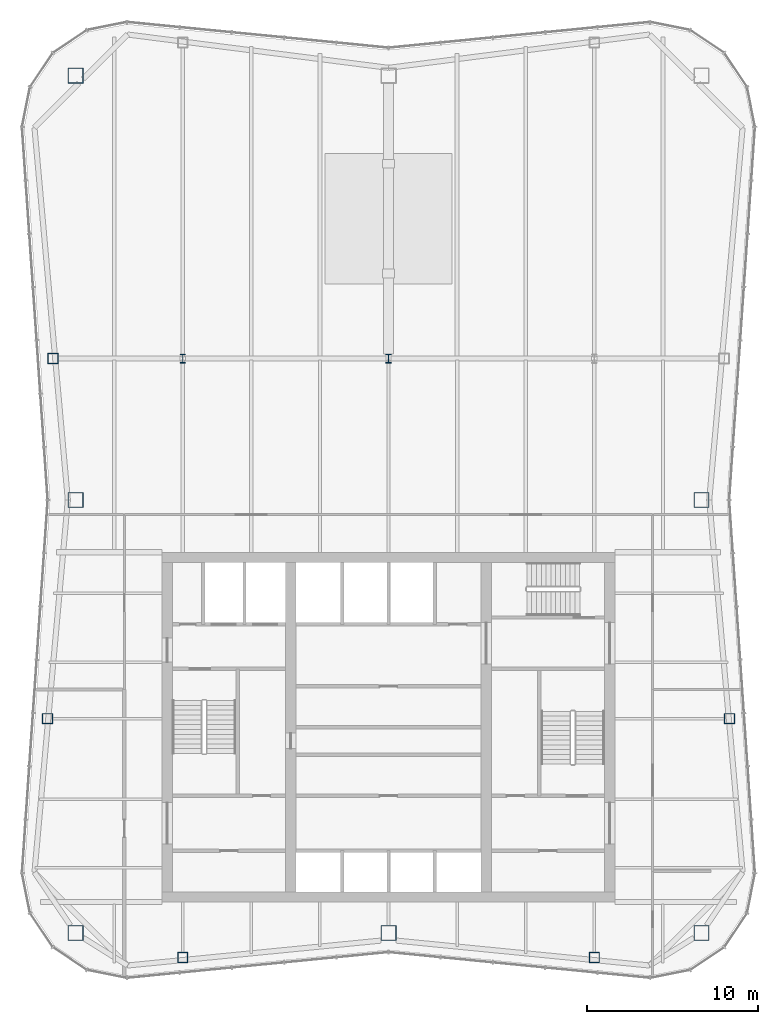
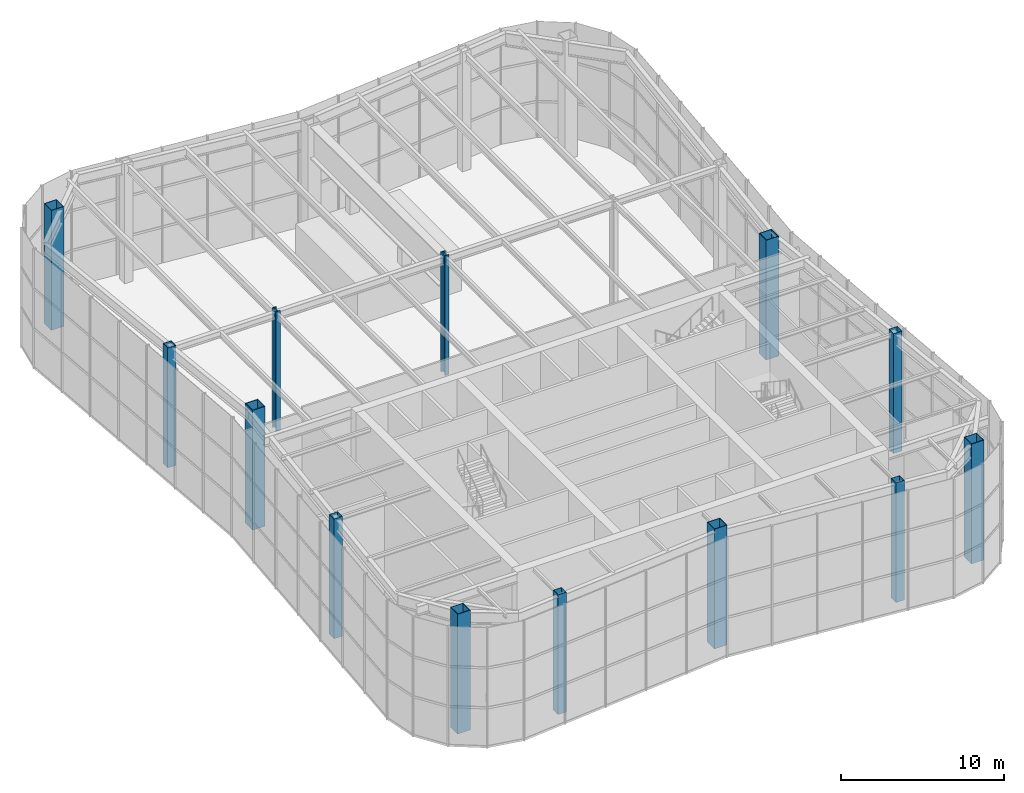
# One storey, part 1 of 16: 13 columns.
"""IFC4 building model written with IfcOpenShell, lengths in metres."""

from ifc_helpers import new_model, si_unit, direction, frame, origin, origin_2d, place, context, subcontext, project, spatial, hollow_rectangle, i_section, extrude, material, material_profile, profile_set, type_object, element, save


model = new_model("IFC4")

# Units and contexts
model_context = context("Model", 3, precision=1e-05, world=origin(), true_north=direction((0.0, 1.0)))
body_context = subcontext(model_context, "Body", "Model", "MODEL_VIEW")
ifc_project = project(units=[si_unit("LENGTHUNIT", "METRE"), si_unit("AREAUNIT", "SQUARE_METRE"), si_unit("VOLUMEUNIT", "CUBIC_METRE"), si_unit("PLANEANGLEUNIT", "RADIAN"), si_unit("MASSUNIT", "GRAM", prefix="KILO")], contexts=[model_context])

# Site, building, storey
site_placement = place(None, origin())
site = spatial("IfcSite", under=ifc_project, at=site_placement, CompositionType="ELEMENT")
building_placement = place(site_placement, origin())
building = spatial("IfcBuilding", under=site, at=building_placement, Name="Verdant Reach Tower", CompositionType="ELEMENT")
storey_placement = place(building_placement, frame((0.0, 0.0, 340.5)))
storey = spatial("IfcBuildingStorey", under=building, at=storey_placement, Name="L78 Damper", CompositionType="ELEMENT", Elevation=340.5)

# Columns
ifc_material = material(Name="Steel S460", Category="steel")
ifc_material_profile_1 = material_profile(ifc_material, i_section(OverallWidth=0.305908203125, OverallDepth=0.52392578125, WebThickness=0.012451171875, FlangeThickness=0.0400390625, FilletRadius=0.027099609375, at=origin_2d()), Name="HEM 500")
ifc_profile_set_1 = profile_set([ifc_material_profile_1], Name="Steel S460")
column_type_1 = type_object("IfcColumnType", Name="ST-COL-HEM500", PredefinedType="COLUMN", material=ifc_profile_set_1)
for number, where, z_axis, x_axis, name in (
    (1, (-12.0, 49.5, 0.0), (0.0, 0.0, 1.0), (1.0, 0.0, 0.0), "Interior column 1, L78 Damper"),
    (2, (0.0, 49.5, 0.0), (0.0, 0.0, 1.0), (1.0, 0.0, 0.0), "Interior column 2, L78 Damper"),
):
    element("IfcColumn", number, at=place(storey_placement, frame(where, z_axis=z_axis, x_axis=x_axis)), inside=storey, type_object=column_type_1, Name=name, PredefinedType="COLUMN", context=body_context, shape_type="SweptSolid", body=[
        extrude(i_section(OverallWidth=0.305908203125, OverallDepth=0.52392578125, WebThickness=0.012451171875, FlangeThickness=0.0400390625, FilletRadius=0.027099609375, at=origin_2d()), origin(), (0.0, 0.0, 1.0), 9.0),
    ])
ifc_material_profile_2 = material_profile(ifc_material, hollow_rectangle(XDim=0.60009765625, YDim=0.60009765625, WallThickness=0.02490234375, at=origin_2d()), Name="WB 600x600x25")
ifc_profile_set_2 = profile_set([ifc_material_profile_2], Name="Steel S460")
column_type_2 = type_object("IfcColumnType", Name="ST-COL-WB600x600x25", PredefinedType="COLUMN", material=ifc_profile_set_2)
for number, where, z_axis, x_axis, name in (
    (3, (-12.0, 14.569580078125, 0.0), (0.0, 0.0, 1.0), (1.0, 0.0, 0.0), "Perimeter column south 1, L78 Damper"),
    (4, (12.0, 14.569580078125, 0.0), (0.0, 0.0, 1.0), (1.0, 0.0, 0.0), "Perimeter column south 2, L78 Damper"),
    (5, (19.87939453125, 28.5, 0.0), (0.0, 0.0, 1.0), (1.0, 0.0, 0.0), "Perimeter column east 1, L78 Damper"),
    (6, (-19.87939453125, 28.5, 0.0), (0.0, 0.0, 1.0), (1.0, 0.0, 0.0), "Perimeter column west 1, L78 Damper"),
    (7, (-19.569091796875, 49.5, 0.0), (0.0, 0.0, 1.0), (1.0, 0.0, 0.0), "Perimeter column west 2, L78 Damper"),
):
    element("IfcColumn", number, at=place(storey_placement, frame(where, z_axis=z_axis, x_axis=x_axis)), inside=storey, type_object=column_type_2, Name=name, PredefinedType="COLUMN", context=body_context, shape_type="SweptSolid", body=[
        extrude(hollow_rectangle(XDim=0.60009765625, YDim=0.60009765625, WallThickness=0.02490234375, at=origin_2d()), origin(), (0.0, 0.0, 1.0), 9.0),
    ])
ifc_material_profile_3 = material_profile(ifc_material, hollow_rectangle(XDim=0.89990234375, YDim=0.89990234375, WallThickness=0.0400390625, at=origin_2d()), Name="WB 900x900x40")
ifc_profile_set_3 = profile_set([ifc_material_profile_3], Name="Steel S460")
column_type_3 = type_object("IfcColumnType", Name="ST-COL-WB900x900x40", PredefinedType="COLUMN", material=ifc_profile_set_3)
for number, where, z_axis, x_axis, name in (
    (8, (-18.25, 66.0, 0.0), (0.0, 0.0, 1.0), (1.0, 0.0, 0.0), "Mega column north-west, L78 Damper"),
    (9, (18.25, 41.25, 0.0), (0.0, 0.0, 1.0), (1.0, 0.0, 0.0), "Mega column east, L78 Damper"),
    (10, (18.25, 16.0, 0.0), (0.0, 0.0, 1.0), (1.0, 0.0, 0.0), "Mega column south-east, L78 Damper"),
    (11, (0.0, 16.0, 0.0), (0.0, 0.0, 1.0), (1.0, 0.0, 0.0), "Mega column south, L78 Damper"),
    (12, (-18.25, 16.0, 0.0), (0.0, 0.0, 1.0), (1.0, 0.0, 0.0), "Mega column south-west, L78 Damper"),
    (13, (-18.25, 41.25, 0.0), (0.0, 0.0, 1.0), (1.0, 0.0, 0.0), "Mega column west, L78 Damper"),
):
    element("IfcColumn", number, at=place(storey_placement, frame(where, z_axis=z_axis, x_axis=x_axis)), inside=storey, type_object=column_type_3, Name=name, PredefinedType="COLUMN", context=body_context, shape_type="SweptSolid", body=[
        extrude(hollow_rectangle(XDim=0.89990234375, YDim=0.89990234375, WallThickness=0.0400390625, at=origin_2d()), origin(), (0.0, 0.0, 1.0), 9.0),
    ])

save(model, "model.ifc")
